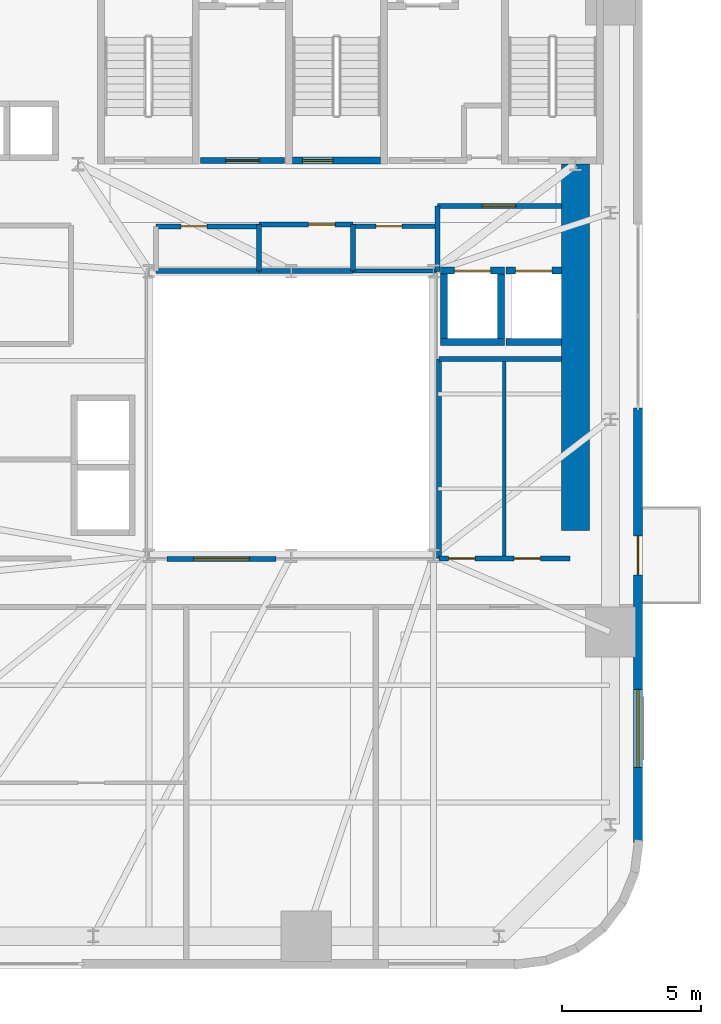
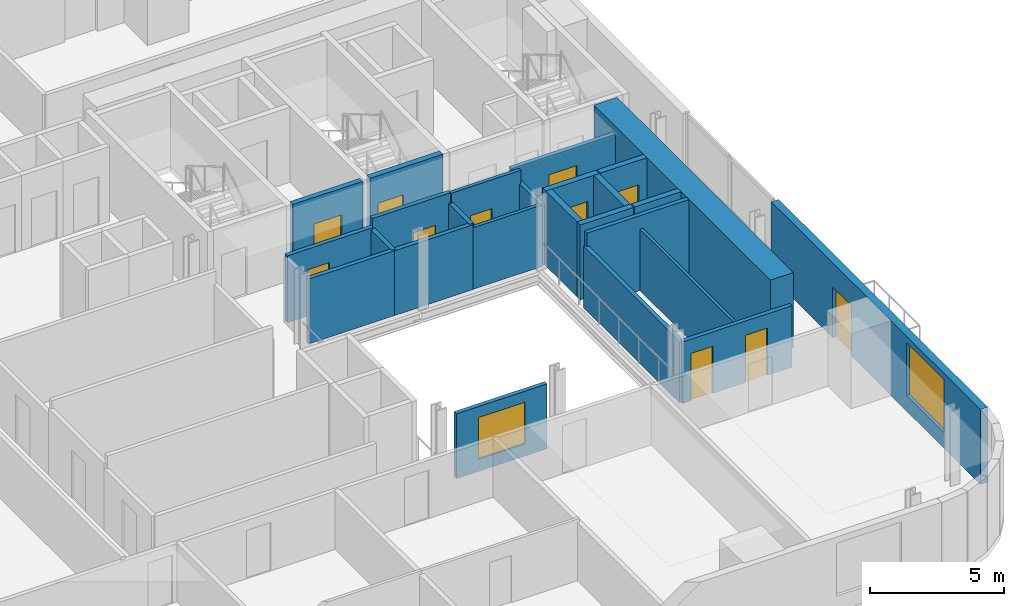
# One storey, part 7 of 11: 25 walls, 11 doors, 2 windows, 13 openings.
"""IFC4 building model written with IfcOpenShell, lengths in metres."""

from ifc_helpers import new_model, si_unit, direction, frame, frame_2d, origin, place, context, subcontext, project, spatial, rectangle, extrude, source, transform, mapped, material, layer, layer_set, type_object, element, fill, save


model = new_model("IFC4")

# Units and contexts
model_context = context("Model", 3, precision=1e-05, world=origin(), true_north=direction((0.0, 1.0)))
body_context = subcontext(model_context, "Body", "Model", "MODEL_VIEW")
ifc_project = project(units=[si_unit("LENGTHUNIT", "METRE"), si_unit("AREAUNIT", "SQUARE_METRE"), si_unit("VOLUMEUNIT", "CUBIC_METRE"), si_unit("PLANEANGLEUNIT", "RADIAN"), si_unit("MASSUNIT", "GRAM", prefix="KILO")], contexts=[model_context])

# Site, building, storey
site_placement = place(None, origin())
site = spatial("IfcSite", under=ifc_project, at=site_placement, CompositionType="ELEMENT")
building_placement = place(site_placement, origin())
building = spatial("IfcBuilding", under=site, at=building_placement, Name="Vardaveli Station Tower", CompositionType="ELEMENT")
storey_placement = place(building_placement, frame((0.0, 0.0, 78.699951171875)))
storey = spatial("IfcBuildingStorey", under=building, at=storey_placement, Name="L20", CompositionType="ELEMENT", Elevation=78.699951171875)

# Wall
ifc_material_1 = material(Name="Concrete C60/75", Category="concrete")
ifc_layer_1 = layer(ifc_material_1, 1.0, Name="Concrete C60/75")
ifc_layer_set_1 = layer_set([ifc_layer_1], Name="Concrete C60/75")
wall_type_1 = type_object("IfcWallType", Name="WAL-CORE-1000", PredefinedType="SHEAR", material=ifc_layer_set_1)
shared_shape_1 = source(origin(), body_context, "Body", "SweptSolid", [
    extrude(rectangle(XDim=13.14990234375, YDim=1.0, at=frame_2d((6.574951171875, 0.0))), origin(), (0.0, 0.0, 1.0), 3.41015625),
])
wall_1_placement = place(storey_placement, frame((46.5, 17.5, 0.0), z_axis=(0.0, 0.0, 1.0), x_axis=(0.0, 1.0, 0.0)))
element("IfcWall", 1, at=wall_1_placement, inside=storey, type_object=wall_type_1, Name="SW-L20-EAST2", PredefinedType="SHEAR", context=body_context, shape_type="MappedRepresentation", body=[
    mapped(shared_shape_1, transform((0.0, 0.0, 0.0), scale=1.0)),
])

# Wall, openings, door, window
ifc_material_2 = material(Name="Precast concrete C45/55", Category="concrete")
ifc_layer_2 = layer(ifc_material_2, 0.320068359375, Name="Precast concrete C45/55")
ifc_layer_set_2 = layer_set([ifc_layer_2], Name="Precast concrete C45/55")
wall_type_2 = type_object("IfcWallType", Name="WAL-EXT-STONE-320", PredefinedType="SOLIDWALL", material=ifc_layer_set_2)
shared_shape_2 = source(origin(), body_context, "Body", "SweptSolid", [
    extrude(rectangle(XDim=15.599853515625, YDim=0.320068359375, at=frame_2d((7.7998046875, 0.0))), origin(), (0.0, 0.0, 1.0), 3.41015625),
])
wall_2_placement = place(storey_placement, frame((48.739990234375, 6.300048828125, 0.0), z_axis=(0.0, 0.0, 1.0), x_axis=(0.0, 1.0, 0.0)))
wall_2 = element("IfcWall", 2, at=wall_2_placement, inside=storey, type_object=wall_type_2, Name="EW-L20-E1", PredefinedType="SOLIDWALL", context=body_context, shape_type="MappedRepresentation", body=[
    mapped(shared_shape_2, transform((0.0, 0.0, 0.0), scale=1.0)),
])
shared_shape_3 = source(origin(), body_context, "Body", "SweptSolid", [
    extrude(rectangle(XDim=1.39990234375, YDim=2.300048828125, at=frame_2d((0.699951171875, 1.14990234375))), frame((0.0, 0.169921875, 0.0), z_axis=(0.0, -1.0, 0.0), x_axis=(1.0, 0.0, 0.0)), (0.0, 0.0, 1.0), 0.340087890625),
])
opening_1_placement = place(wall_2_placement, frame((9.6103515625, 0.0, 0.0)))
opening_1 = element("IfcOpeningElement", 3, at=opening_1_placement, cuts=wall_2, Name="Opening D-09", PredefinedType="OPENING", context=body_context, shape_type="MappedRepresentation", body=[
    mapped(shared_shape_3, transform((0.0, 0.0, 0.0), scale=1.0)),
])
shared_shape_4 = source(origin(), body_context, "Body", "SweptSolid", [
    extrude(rectangle(XDim=2.800048828125, YDim=2.39990234375, at=frame_2d((1.39990234375, 1.199951171875))), frame((0.0, 0.169921875, 0.0), z_axis=(0.0, -1.0, 0.0), x_axis=(1.0, 0.0, 0.0)), (0.0, 0.0, 1.0), 0.340087890625),
])
opening_2_placement = place(wall_2_placement, frame((2.705078125, 0.0, 0.719970703125)))
opening_2 = element("IfcOpeningElement", 4, at=opening_2_placement, cuts=wall_2, Name="Opening W-04", PredefinedType="OPENING", context=body_context, shape_type="MappedRepresentation", body=[
    mapped(shared_shape_4, transform((0.0, 0.0, 0.0), scale=1.0)),
])
ifc_material_3 = material(Name="Thermally broken aluminium glass", Category="aluminium")
door_type_1 = type_object("IfcDoorType", Name="DR-LOG-1400x2300", OperationType="DOUBLE_DOOR_SLIDING", PredefinedType="DOOR", material=ifc_material_3)
shared_shape_5 = source(origin(), body_context, "Body", "SweptSolid", [
    extrude(rectangle(XDim=1.39990234375, YDim=2.300048828125, at=frame_2d((0.699951171875, 1.14990234375))), frame((0.0, 0.02490234375, 0.0), z_axis=(0.0, -1.0, 0.0), x_axis=(1.0, 0.0, 0.0)), (0.0, 0.0, 1.0), 0.050048828125),
])
door_1_placement = place(opening_1_placement, frame((1.39990234375, 0.0, 0.0), z_axis=(0.0, 0.0, 1.0), x_axis=(-1.0, 0.0, 0.0)))
door_1 = element("IfcDoor", 5, at=door_1_placement, inside=storey, type_object=door_type_1, Name="DLG-L20-E", OperationType="DOUBLE_DOOR_SLIDING", OverallHeight=2.300048828125, OverallWidth=1.39990234375, PredefinedType="DOOR", context=body_context, shape_type="MappedRepresentation", body=[
    mapped(shared_shape_5, transform((0.0, 0.0, 0.0), scale=1.0)),
])
fill(opening_1, door_1)
ifc_material_4 = material(Name="Low-E solar-control glass", Category="glass")
window_type_1 = type_object("IfcWindowType", Name="WIN-SUITE-2800x2400", PartitioningType="SINGLE_PANEL", PredefinedType="WINDOW", material=ifc_material_4)
shared_shape_6 = source(origin(), body_context, "Body", "SweptSolid", [
    extrude(rectangle(XDim=2.800048828125, YDim=2.39990234375, at=frame_2d((1.39990234375, 1.199951171875))), frame((0.0, 0.030029296875, 0.0), z_axis=(0.0, -1.0, 0.0), x_axis=(1.0, 0.0, 0.0)), (0.0, 0.0, 1.0), 0.06005859375),
])
window_1_placement = place(opening_2_placement, origin())
window_1 = element("IfcWindow", 6, at=window_1_placement, inside=storey, type_object=window_type_1, Name="WN-L20-E1", OverallHeight=2.39990234375, OverallWidth=2.800048828125, PartitioningType="SINGLE_PANEL", PredefinedType="WINDOW", context=body_context, shape_type="MappedRepresentation", body=[
    mapped(shared_shape_6, transform((0.0, 0.0, 0.0), scale=1.0)),
])
fill(opening_2, window_1)

# Wall, opening, door
ifc_material_5 = material(Name="Concrete C40/50", Category="concrete")
ifc_layer_3 = layer(ifc_material_5, 0.25, Name="Concrete C40/50")
ifc_layer_set_3 = layer_set([ifc_layer_3], Name="Concrete C40/50")
wall_type_3 = type_object("IfcWallType", Name="WAL-SHAFT-250", PredefinedType="SOLIDWALL", material=ifc_layer_set_3)
shared_shape_7 = source(origin(), body_context, "Body", "SweptSolid", [
    extrude(rectangle(XDim=3.14990234375, YDim=0.25, at=frame_2d((1.574951171875, 0.0))), origin(), (0.0, 0.0, 1.0), 3.449951171875),
])
wall_3_placement = place(storey_placement, frame((36.35009765625, 30.77490234375, 0.0), z_axis=(0.0, 0.0, 1.0), x_axis=(1.0, 0.0, 0.0)))
wall_3 = element("IfcWall", 7, at=wall_3_placement, inside=storey, type_object=wall_type_3, Name="W-L20-ST-2S", PredefinedType="SOLIDWALL", context=body_context, shape_type="MappedRepresentation", body=[
    mapped(shared_shape_7, transform((0.0, 0.0, 0.0), scale=1.0)),
])
shared_shape_8 = source(origin(), body_context, "Body", "SweptSolid", [
    extrude(rectangle(XDim=1.10009765625, YDim=2.199951171875, at=frame_2d((0.550048828125, 1.10009765625))), frame((0.0, 0.135009765625, 0.0), z_axis=(0.0, -1.0, 0.0), x_axis=(1.0, 0.0, 0.0)), (0.0, 0.0, 1.0), 0.27001953125),
])
opening_3_placement = place(wall_3_placement, frame((0.35009765625, 0.0, 0.0)))
opening_3 = element("IfcOpeningElement", 8, at=opening_3_placement, cuts=wall_3, Name="Opening D-04", PredefinedType="OPENING", context=body_context, shape_type="MappedRepresentation", body=[
    mapped(shared_shape_8, transform((0.0, 0.0, 0.0), scale=1.0)),
])
ifc_material_6 = material(Name="Steel smokeproof fire doorset", Category="steel")
door_type_2 = type_object("IfcDoorType", Name="DR-ST-1100x2200", OperationType="NOTDEFINED", PredefinedType="DOOR", material=ifc_material_6)
shared_shape_9 = source(origin(), body_context, "Body", "SweptSolid", [
    extrude(rectangle(XDim=1.10009765625, YDim=2.199951171875, at=frame_2d((0.550048828125, 1.10009765625))), frame((0.0, 0.02490234375, 0.0), z_axis=(0.0, -1.0, 0.0), x_axis=(1.0, 0.0, 0.0)), (0.0, 0.0, 1.0), 0.050048828125),
])
door_2_placement = place(opening_3_placement, origin())
door_2 = element("IfcDoor", 9, at=door_2_placement, inside=storey, type_object=door_type_2, Name="DST-2-L20", OperationType="SINGLE_SWING_LEFT", OverallHeight=2.199951171875, OverallWidth=1.10009765625, PredefinedType="DOOR", context=body_context, shape_type="MappedRepresentation", body=[
    mapped(shared_shape_9, transform((0.0, 0.0, 0.0), scale=1.0)),
])
fill(opening_3, door_2)

ifc_layer_4 = layer(ifc_material_5, 0.219970703125, Name="Concrete C40/50")
ifc_layer_set_4 = layer_set([ifc_layer_4], Name="Concrete C40/50")
wall_type_4 = type_object("IfcWallType", Name="WAL-FFLOBBY-220", PredefinedType="SOLIDWALL", material=ifc_layer_set_4)
shared_shape_10 = source(origin(), body_context, "Body", "SweptSolid", [
    extrude(rectangle(XDim=3.0, YDim=0.219970703125, at=frame_2d((1.5, 0.0))), origin(), (0.0, 0.0, 1.0), 3.41015625),
])
wall_4_placement = place(storey_placement, frame((33.050048828125, 30.780029296875, 0.0), z_axis=(0.0, 0.0, 1.0), x_axis=(1.0, 0.0, 0.0)))
wall_4 = element("IfcWall", 10, at=wall_4_placement, inside=storey, type_object=wall_type_4, Name="W-L20-FFL1S", PredefinedType="SOLIDWALL", context=body_context, shape_type="MappedRepresentation", body=[
    mapped(shared_shape_10, transform((0.0, 0.0, 0.0), scale=1.0)),
])
shared_shape_11 = source(origin(), body_context, "Body", "SweptSolid", [
    extrude(rectangle(XDim=1.199951171875, YDim=2.199951171875, at=frame_2d((0.60009765625, 1.10009765625))), frame((0.0, 0.1201171875, 0.0), z_axis=(0.0, -1.0, 0.0), x_axis=(1.0, 0.0, 0.0)), (0.0, 0.0, 1.0), 0.239990234375),
])
opening_4_placement = place(wall_4_placement, frame((0.89990234375, 0.0, 0.0)))
opening_4 = element("IfcOpeningElement", 11, at=opening_4_placement, cuts=wall_4, Name="Opening D-03", PredefinedType="OPENING", context=body_context, shape_type="MappedRepresentation", body=[
    mapped(shared_shape_11, transform((0.0, 0.0, 0.0), scale=1.0)),
])
door_type_3 = type_object("IfcDoorType", Name="DR-FFL-1200x2200", OperationType="NOTDEFINED", PredefinedType="DOOR", material=ifc_material_6)
shared_shape_12 = source(origin(), body_context, "Body", "SweptSolid", [
    extrude(rectangle(XDim=1.199951171875, YDim=2.199951171875, at=frame_2d((0.60009765625, 1.10009765625))), frame((0.0, 0.02490234375, 0.0), z_axis=(0.0, -1.0, 0.0), x_axis=(1.0, 0.0, 0.0)), (0.0, 0.0, 1.0), 0.050048828125),
])
door_3_placement = place(opening_4_placement, origin())
door_3 = element("IfcDoor", 12, at=door_3_placement, inside=storey, type_object=door_type_3, Name="DFFL1-L20", OperationType="SINGLE_SWING_LEFT", OverallHeight=2.199951171875, OverallWidth=1.199951171875, PredefinedType="DOOR", context=body_context, shape_type="MappedRepresentation", body=[
    mapped(shared_shape_12, transform((0.0, 0.0, 0.0), scale=1.0)),
])
fill(opening_4, door_3)

# Wall
shared_shape_13 = source(origin(), body_context, "Body", "SweptSolid", [
    extrude(rectangle(XDim=2.300048828125, YDim=0.25, at=frame_2d((1.14990234375, 0.0))), origin(), (0.0, 0.0, 1.0), 3.41015625),
])
wall_5_placement = place(storey_placement, frame((41.64990234375, 24.27490234375, 0.0), z_axis=(0.0, 0.0, 1.0), x_axis=(1.0, 0.0, 0.0)))
element("IfcWall", 13, at=wall_5_placement, inside=storey, type_object=wall_type_3, Name="SHW-SRV-01-L20-S", PredefinedType="SOLIDWALL", context=body_context, shape_type="MappedRepresentation", body=[
    mapped(shared_shape_13, transform((0.0, 0.0, 0.0), scale=1.0)),
])

# Wall, opening, door
wall_6_placement = place(storey_placement, frame((41.64990234375, 26.824951171875, 0.0), z_axis=(0.0, 0.0, 1.0), x_axis=(1.0, 0.0, 0.0)))
wall_6 = element("IfcWall", 14, at=wall_6_placement, inside=storey, type_object=wall_type_3, Name="SHW-SRV-01-L20-N", PredefinedType="SOLIDWALL", context=body_context, shape_type="MappedRepresentation", body=[
    mapped(shared_shape_13, transform((0.0, 0.0, 0.0), scale=1.0)),
])
shared_shape_14 = source(origin(), body_context, "Body", "SweptSolid", [
    extrude(rectangle(XDim=1.300048828125, YDim=2.300048828125, at=frame_2d((0.64990234375, 1.14990234375))), frame((0.0, 0.135009765625, 0.0), z_axis=(0.0, -1.0, 0.0), x_axis=(1.0, 0.0, 0.0)), (0.0, 0.0, 1.0), 0.27001953125),
])
opening_5_placement = place(wall_6_placement, frame((0.5, 0.0, 0.0)))
opening_5 = element("IfcOpeningElement", 15, at=opening_5_placement, cuts=wall_6, Name="Opening LD-03", PredefinedType="OPENING", context=body_context, shape_type="MappedRepresentation", body=[
    mapped(shared_shape_14, transform((0.0, 0.0, 0.0), scale=1.0)),
])
ifc_material_7 = material(Name="Brushed stainless steel", Category="steel")
door_type_4 = type_object("IfcDoorType", Name="DR-LD-1300x2300", OperationType="DOUBLE_DOOR_SLIDING", PredefinedType="DOOR", material=ifc_material_7)
shared_shape_15 = source(origin(), body_context, "Body", "SweptSolid", [
    extrude(rectangle(XDim=1.300048828125, YDim=2.300048828125, at=frame_2d((0.64990234375, 1.14990234375))), frame((0.0, 0.02490234375, 0.0), z_axis=(0.0, -1.0, 0.0), x_axis=(1.0, 0.0, 0.0)), (0.0, 0.0, 1.0), 0.050048828125),
])
door_4_placement = place(opening_5_placement, origin())
door_4 = element("IfcDoor", 16, at=door_4_placement, inside=storey, type_object=door_type_4, Name="LD-SRV-01-L20", OperationType="DOUBLE_DOOR_SLIDING", OverallHeight=2.300048828125, OverallWidth=1.300048828125, PredefinedType="DOOR", context=body_context, shape_type="MappedRepresentation", body=[
    mapped(shared_shape_15, transform((0.0, 0.0, 0.0), scale=1.0)),
])
fill(opening_5, door_4)

# Walls
for number, where, z_axis, x_axis, name in (
    (17, (41.77490234375, 24.39990234375, 0.0), (0.0, 0.0, 1.0), (0.0, 1.0, 0.0), "SHW-SRV-01-L20-W"),
    (18, (43.824951171875, 24.39990234375, 0.0), (0.0, 0.0, 1.0), (0.0, 1.0, 0.0), "SHW-SRV-01-L20-E"),
):
    element("IfcWall", number, at=place(storey_placement, frame(where, z_axis=z_axis, x_axis=x_axis)), inside=storey, type_object=wall_type_3, Name=name, PredefinedType="SOLIDWALL", context=body_context, shape_type="MappedRepresentation", body=[
        mapped(shared_shape_13, transform((0.0, 0.0, 0.0), scale=1.0)),
    ])
shared_shape_16 = source(origin(), body_context, "Body", "SweptSolid", [
    extrude(rectangle(XDim=2.0, YDim=0.25, at=frame_2d((1.0, 0.0))), origin(), (0.0, 0.0, 1.0), 3.41015625),
])
wall_7_placement = place(storey_placement, frame((44.0, 24.27490234375, 0.0), z_axis=(0.0, 0.0, 1.0), x_axis=(1.0, 0.0, 0.0)))
element("IfcWall", 19, at=wall_7_placement, inside=storey, type_object=wall_type_3, Name="SHW-SRV-02-L20-S", PredefinedType="SOLIDWALL", context=body_context, shape_type="MappedRepresentation", body=[
    mapped(shared_shape_16, transform((0.0, 0.0, 0.0), scale=1.0)),
])

# Wall, opening, door
wall_8_placement = place(storey_placement, frame((44.0, 26.824951171875, 0.0), z_axis=(0.0, 0.0, 1.0), x_axis=(1.0, 0.0, 0.0)))
wall_8 = element("IfcWall", 20, at=wall_8_placement, inside=storey, type_object=wall_type_3, Name="SHW-SRV-02-L20-N", PredefinedType="SOLIDWALL", context=body_context, shape_type="MappedRepresentation", body=[
    mapped(shared_shape_16, transform((0.0, 0.0, 0.0), scale=1.0)),
])
opening_6_placement = place(wall_8_placement, frame((0.35009765625, 0.0, 0.0)))
opening_6 = element("IfcOpeningElement", 21, at=opening_6_placement, cuts=wall_8, Name="Opening LD-03", PredefinedType="OPENING", context=body_context, shape_type="MappedRepresentation", body=[
    mapped(shared_shape_14, transform((0.0, 0.0, 0.0), scale=1.0)),
])
door_5_placement = place(opening_6_placement, origin())
door_5 = element("IfcDoor", 22, at=door_5_placement, inside=storey, type_object=door_type_4, Name="LD-SRV-02-L20", OperationType="DOUBLE_DOOR_SLIDING", OverallHeight=2.300048828125, OverallWidth=1.300048828125, PredefinedType="DOOR", context=body_context, shape_type="MappedRepresentation", body=[
    mapped(shared_shape_15, transform((0.0, 0.0, 0.0), scale=1.0)),
])
fill(opening_6, door_5)

ifc_material_8 = material(Name="Fire-rated gypsum stud partition")
ifc_layer_5 = layer(ifc_material_8, 0.179931640625, Name="Fire-rated gypsum stud partition")
ifc_layer_set_5 = layer_set([ifc_layer_5], Name="Fire-rated gypsum stud partition")
wall_type_5 = type_object("IfcWallType", Name="WAL-CORR-180", PredefinedType="PARTITIONING", material=ifc_layer_set_5)
shared_shape_17 = source(origin(), body_context, "Body", "SweptSolid", [
    extrude(rectangle(XDim=4.447998046875, YDim=0.179931640625, at=frame_2d((2.22412109375, 0.0))), origin(), (0.0, 0.0, 1.0), 3.0419921875),
])
wall_9_placement = place(storey_placement, frame((41.550048828125, 29.14990234375, 0.0), z_axis=(0.0, 0.0, 1.0), x_axis=(1.0, 0.0, 0.0)))
wall_9 = element("IfcWall", 23, at=wall_9_placement, inside=storey, type_object=wall_type_5, Name="W-L20-SVFN", PredefinedType="PARTITIONING", context=body_context, shape_type="MappedRepresentation", body=[
    mapped(shared_shape_17, transform((0.0, 0.0, 0.0), scale=1.0)),
])
shared_shape_18 = source(origin(), body_context, "Body", "SweptSolid", [
    extrude(rectangle(XDim=1.199951171875, YDim=2.199951171875, at=frame_2d((0.60009765625, 1.10009765625))), frame((0.0, 0.10009765625, 0.0), z_axis=(0.0, -1.0, 0.0), x_axis=(1.0, 0.0, 0.0)), (0.0, 0.0, 1.0), 0.199951171875),
])
opening_7_placement = place(wall_9_placement, frame((1.60009765625, 0.0, 0.0)))
opening_7 = element("IfcOpeningElement", 24, at=opening_7_placement, cuts=wall_9, Name="Opening D-03", PredefinedType="OPENING", context=body_context, shape_type="MappedRepresentation", body=[
    mapped(shared_shape_18, transform((0.0, 0.0, 0.0), scale=1.0)),
])
door_6_placement = place(opening_7_placement, origin())
door_6 = element("IfcDoor", 25, at=door_6_placement, inside=storey, type_object=door_type_3, Name="D-L20-SVF", OperationType="SINGLE_SWING_RIGHT", OverallHeight=2.199951171875, OverallWidth=1.199951171875, PredefinedType="DOOR", context=body_context, shape_type="MappedRepresentation", body=[
    mapped(shared_shape_12, transform((0.0, 0.0, 0.0), scale=1.0)),
])
fill(opening_7, door_6)

# Wall, openings, doors
shared_shape_19 = source(origin(), body_context, "Body", "SweptSolid", [
    extrude(rectangle(XDim=4.699951171875, YDim=0.179931640625, at=frame_2d((2.35009765625, 0.0))), origin(), (0.0, 0.0, 1.0), 2.802001953125),
])
wall_10_placement = place(storey_placement, frame((41.60009765625, 16.5, 0.0), z_axis=(0.0, 0.0, 1.0), x_axis=(1.0, 0.0, 0.0)))
wall_10 = element("IfcWall", 26, at=wall_10_placement, inside=storey, type_object=wall_type_5, Name="W-L20-ATE-S", PredefinedType="PARTITIONING", context=body_context, shape_type="MappedRepresentation", body=[
    mapped(shared_shape_19, transform((0.0, 0.0, 0.0), scale=1.0)),
])
shared_shape_20 = source(origin(), body_context, "Body", "SweptSolid", [
    extrude(rectangle(XDim=0.949951171875, YDim=2.14990234375, at=frame_2d((0.47509765625, 1.074951171875))), frame((0.0, 0.10009765625, 0.0), z_axis=(0.0, -1.0, 0.0), x_axis=(1.0, 0.0, 0.0)), (0.0, 0.0, 1.0), 0.199951171875),
])
opening_8_placement = place(wall_10_placement, frame((0.35009765625, 0.0, 0.0)))
opening_8 = element("IfcOpeningElement", 27, at=opening_8_placement, cuts=wall_10, Name="Opening D-11", PredefinedType="OPENING", context=body_context, shape_type="MappedRepresentation", body=[
    mapped(shared_shape_20, transform((0.0, 0.0, 0.0), scale=1.0)),
])
opening_9_placement = place(wall_10_placement, frame((2.699951171875, 0.0, 0.0)))
opening_9 = element("IfcOpeningElement", 28, at=opening_9_placement, cuts=wall_10, Name="Opening D-11", PredefinedType="OPENING", context=body_context, shape_type="MappedRepresentation", body=[
    mapped(shared_shape_20, transform((0.0, 0.0, 0.0), scale=1.0)),
])
ifc_material_9 = material(Name="Oak veneer internal suite door")
door_type_5 = type_object("IfcDoorType", Name="DR-INT-950x2150", OperationType="NOTDEFINED", PredefinedType="DOOR", material=ifc_material_9)
shared_shape_21 = source(origin(), body_context, "Body", "SweptSolid", [
    extrude(rectangle(XDim=0.949951171875, YDim=2.14990234375, at=frame_2d((0.47509765625, 1.074951171875))), frame((0.0, 0.02490234375, 0.0), z_axis=(0.0, -1.0, 0.0), x_axis=(1.0, 0.0, 0.0)), (0.0, 0.0, 1.0), 0.050048828125),
])
door_7_placement = place(opening_8_placement, origin())
door_7 = element("IfcDoor", 29, at=door_7_placement, inside=storey, type_object=door_type_5, Name="D-L20-ATE1", OperationType="SINGLE_SWING_RIGHT", OverallHeight=2.14990234375, OverallWidth=0.949951171875, PredefinedType="DOOR", context=body_context, shape_type="MappedRepresentation", body=[
    mapped(shared_shape_21, transform((0.0, 0.0, 0.0), scale=1.0)),
])
fill(opening_8, door_7)
door_8_placement = place(opening_9_placement, origin())
door_8 = element("IfcDoor", 30, at=door_8_placement, inside=storey, type_object=door_type_5, Name="D-L20-ATE2", OperationType="SINGLE_SWING_RIGHT", OverallHeight=2.14990234375, OverallWidth=0.949951171875, PredefinedType="DOOR", context=body_context, shape_type="MappedRepresentation", body=[
    mapped(shared_shape_21, transform((0.0, 0.0, 0.0), scale=1.0)),
])
fill(opening_9, door_8)

# Walls
shared_shape_22 = source(origin(), body_context, "Body", "SweptSolid", [
    extrude(rectangle(XDim=7.14990234375, YDim=0.179931640625, at=frame_2d((3.574951171875, 0.0))), origin(), (0.0, 0.0, 1.0), 2.802001953125),
])
wall_11_placement = place(storey_placement, frame((41.60009765625, 16.5, 0.0), z_axis=(0.0, 0.0, 1.0), x_axis=(0.0, 1.0, 0.0)))
element("IfcWall", 31, at=wall_11_placement, inside=storey, type_object=wall_type_5, Name="W-L20-ATE-W", PredefinedType="PARTITIONING", context=body_context, shape_type="MappedRepresentation", body=[
    mapped(shared_shape_22, transform((0.0, 0.0, 0.0), scale=1.0)),
])
shared_shape_23 = source(origin(), body_context, "Body", "SweptSolid", [
    extrude(rectangle(XDim=2.349853515625, YDim=0.179931640625, at=frame_2d((1.1748046875, 0.0))), origin(), (0.0, 0.0, 1.0), 2.802001953125),
])
wall_12_placement = place(storey_placement, frame((41.550048828125, 26.800048828125, 0.0), z_axis=(0.0, 0.0, 1.0), x_axis=(0.0, 1.0, 0.0)))
element("IfcWall", 32, at=wall_12_placement, inside=storey, type_object=wall_type_5, Name="W-L20-SVFW", PredefinedType="PARTITIONING", context=body_context, shape_type="MappedRepresentation", body=[
    mapped(shared_shape_23, transform((0.0, 0.0, 0.0), scale=1.0)),
])
ifc_material_10 = material(Name="Gypsum board stud partition")
ifc_layer_6 = layer(ifc_material_10, 0.125, Name="Gypsum board stud partition")
ifc_layer_set_6 = layer_set([ifc_layer_6], Name="Gypsum board stud partition")
wall_type_6 = type_object("IfcWallType", Name="WAL-INT-125", PredefinedType="PARTITIONING", material=ifc_layer_set_6)
shared_shape_24 = source(origin(), body_context, "Body", "SweptSolid", [
    extrude(rectangle(XDim=7.14990234375, YDim=0.125, at=frame_2d((3.574951171875, 0.0))), origin(), (0.0, 0.0, 1.0), 2.802001953125),
])
wall_13_placement = place(storey_placement, frame((43.949951171875, 16.5, 0.0), z_axis=(0.0, 0.0, 1.0), x_axis=(0.0, 1.0, 0.0)))
element("IfcWall", 33, at=wall_13_placement, inside=storey, type_object=wall_type_6, Name="W-L20-ATEM", PredefinedType="PARTITIONING", context=body_context, shape_type="MappedRepresentation", body=[
    mapped(shared_shape_24, transform((0.0, 0.0, 0.0), scale=1.0)),
])

# Wall, opening, door
shared_shape_25 = source(origin(), body_context, "Body", "SweptSolid", [
    extrude(rectangle(XDim=3.699951171875, YDim=0.179931640625, at=frame_2d((1.85009765625, 0.0))), origin(), (0.0, 0.0, 1.0), 3.0419921875),
])
wall_14_placement = place(storey_placement, frame((31.449951171875, 28.419921875, 0.0), z_axis=(0.0, 0.0, 1.0), x_axis=(1.0, 0.0, 0.0)))
wall_14 = element("IfcWall", 34, at=wall_14_placement, inside=storey, type_object=wall_type_5, Name="W-L20-CS2A-N", PredefinedType="PARTITIONING", context=body_context, shape_type="MappedRepresentation", body=[
    mapped(shared_shape_25, transform((0.0, 0.0, 0.0), scale=1.0)),
])
shared_shape_26 = source(origin(), body_context, "Body", "SweptSolid", [
    extrude(rectangle(XDim=0.919921875, YDim=2.10009765625, at=frame_2d((0.4599609375, 1.050048828125))), frame((0.0, 0.10009765625, 0.0), z_axis=(0.0, -1.0, 0.0), x_axis=(1.0, 0.0, 0.0)), (0.0, 0.0, 1.0), 0.199951171875),
])
opening_10_placement = place(wall_14_placement, frame((0.89990234375, 0.0, 0.0)))
opening_10 = element("IfcOpeningElement", 35, at=opening_10_placement, cuts=wall_14, Name="Opening D-07", PredefinedType="OPENING", context=body_context, shape_type="MappedRepresentation", body=[
    mapped(shared_shape_26, transform((0.0, 0.0, 0.0), scale=1.0)),
])
ifc_material_11 = material(Name="Moisture-resistant hardwood door", Category="wood")
door_type_6 = type_object("IfcDoorType", Name="DR-WC-920x2100", OperationType="NOTDEFINED", PredefinedType="DOOR", material=ifc_material_11)
shared_shape_27 = source(origin(), body_context, "Body", "SweptSolid", [
    extrude(rectangle(XDim=0.919921875, YDim=2.10009765625, at=frame_2d((0.4599609375, 1.050048828125))), frame((0.0, 0.02490234375, 0.0), z_axis=(0.0, -1.0, 0.0), x_axis=(1.0, 0.0, 0.0)), (0.0, 0.0, 1.0), 0.050048828125),
])
door_9_placement = place(opening_10_placement, origin())
door_9 = element("IfcDoor", 36, at=door_9_placement, inside=storey, type_object=door_type_6, Name="D-L20-CS2A", OperationType="SINGLE_SWING_LEFT", OverallHeight=2.10009765625, OverallWidth=0.919921875, PredefinedType="DOOR", context=body_context, shape_type="MappedRepresentation", body=[
    mapped(shared_shape_27, transform((0.0, 0.0, 0.0), scale=1.0)),
])
fill(opening_10, door_9)

shared_shape_28 = source(origin(), body_context, "Body", "SweptSolid", [
    extrude(rectangle(XDim=3.3701171875, YDim=0.179931640625, at=frame_2d((1.68505859375, 0.0))), origin(), (0.0, 0.0, 1.0), 3.41015625),
])
wall_15_placement = place(storey_placement, frame((35.14990234375, 28.47998046875, 0.0), z_axis=(0.0, 0.0, 1.0), x_axis=(1.0, 0.0, 0.0)))
wall_15 = element("IfcWall", 37, at=wall_15_placement, inside=storey, type_object=wall_type_5, Name="W-L20-HKP2-N", PredefinedType="PARTITIONING", context=body_context, shape_type="MappedRepresentation", body=[
    mapped(shared_shape_28, transform((0.0, 0.0, 0.0), scale=1.0)),
])
opening_11_placement = place(wall_15_placement, frame((1.77490234375, 0.0, 0.0)))
opening_11 = element("IfcOpeningElement", 38, at=opening_11_placement, cuts=wall_15, Name="Opening D-06", PredefinedType="OPENING", context=body_context, shape_type="MappedRepresentation", body=[
    mapped(shared_shape_20, transform((0.0, 0.0, 0.0), scale=1.0)),
])
ifc_material_12 = material(Name="Oak veneer acoustic fire door")
door_type_7 = type_object("IfcDoorType", Name="DR-GUEST-950x2150", OperationType="NOTDEFINED", PredefinedType="DOOR", material=ifc_material_12)
door_10_placement = place(opening_11_placement, origin())
door_10 = element("IfcDoor", 39, at=door_10_placement, inside=storey, type_object=door_type_7, Name="D-L20-HKP", OperationType="SINGLE_SWING_LEFT", OverallHeight=2.14990234375, OverallWidth=0.949951171875, PredefinedType="DOOR", context=body_context, shape_type="MappedRepresentation", body=[
    mapped(shared_shape_21, transform((0.0, 0.0, 0.0), scale=1.0)),
])
fill(opening_11, door_10)

ifc_material_13 = material(Name="Moisture-resistant stud partition")
ifc_layer_7 = layer(ifc_material_13, 0.14990234375, Name="Moisture-resistant stud partition")
ifc_layer_set_7 = layer_set([ifc_layer_7], Name="Moisture-resistant stud partition")
wall_type_7 = type_object("IfcWallType", Name="WAL-WET-150", PredefinedType="PARTITIONING", material=ifc_layer_set_7)
shared_shape_29 = source(origin(), body_context, "Body", "SweptSolid", [
    extrude(rectangle(XDim=3.0, YDim=0.14990234375, at=frame_2d((1.5, 0.0))), origin(), (0.0, 0.0, 1.0), 3.41015625),
])
wall_16_placement = place(storey_placement, frame((38.52001953125, 28.419921875, 0.0), z_axis=(0.0, 0.0, 1.0), x_axis=(1.0, 0.0, 0.0)))
wall_16 = element("IfcWall", 40, at=wall_16_placement, inside=storey, type_object=wall_type_7, Name="W-L20-WCA2-N", PredefinedType="PARTITIONING", context=body_context, shape_type="MappedRepresentation", body=[
    mapped(shared_shape_29, transform((0.0, 0.0, 0.0), scale=1.0)),
])
shared_shape_30 = source(origin(), body_context, "Body", "SweptSolid", [
    extrude(rectangle(XDim=0.919921875, YDim=2.10009765625, at=frame_2d((0.4599609375, 1.050048828125))), frame((0.0, 0.0849609375, 0.0), z_axis=(0.0, -1.0, 0.0), x_axis=(1.0, 0.0, 0.0)), (0.0, 0.0, 1.0), 0.169921875),
])
opening_12_placement = place(wall_16_placement, frame((0.830078125, 0.0, 0.0)))
opening_12 = element("IfcOpeningElement", 41, at=opening_12_placement, cuts=wall_16, Name="Opening D-07", PredefinedType="OPENING", context=body_context, shape_type="MappedRepresentation", body=[
    mapped(shared_shape_30, transform((0.0, 0.0, 0.0), scale=1.0)),
])
door_11_placement = place(opening_12_placement, origin())
door_11 = element("IfcDoor", 42, at=door_11_placement, inside=storey, type_object=door_type_6, Name="D-L20-WCA", OperationType="SINGLE_SWING_LEFT", OverallHeight=2.10009765625, OverallWidth=0.919921875, PredefinedType="DOOR", context=body_context, shape_type="MappedRepresentation", body=[
    mapped(shared_shape_27, transform((0.0, 0.0, 0.0), scale=1.0)),
])
fill(opening_12, door_11)

# Walls
shared_shape_31 = source(origin(), body_context, "Body", "SweptSolid", [
    extrude(rectangle(XDim=4.39794921875, YDim=0.179931640625, at=frame_2d((2.198974609375, 0.0))), origin(), (0.0, 0.0, 1.0), 3.41015625),
])
wall_17_placement = place(storey_placement, frame((41.60009765625, 23.64990234375, 0.0), z_axis=(0.0, 0.0, 1.0), x_axis=(1.0, 0.0, 0.0)))
element("IfcWall", 43, at=wall_17_placement, inside=storey, type_object=wall_type_5, Name="W-L20-ATE-N", PredefinedType="PARTITIONING", context=body_context, shape_type="MappedRepresentation", body=[
    mapped(shared_shape_31, transform((0.0, 0.0, 0.0), scale=1.0)),
])
shared_shape_32 = source(origin(), body_context, "Body", "SweptSolid", [
    extrude(rectangle(XDim=3.699951171875, YDim=0.179931640625, at=frame_2d((1.85009765625, 0.0))), origin(), (0.0, 0.0, 1.0), 2.9521484375),
])
wall_18_placement = place(storey_placement, frame((31.449951171875, 26.820068359375, 0.0), z_axis=(0.0, 0.0, 1.0), x_axis=(1.0, 0.0, 0.0)))
element("IfcWall", 44, at=wall_18_placement, inside=storey, type_object=wall_type_5, Name="W-L20-CS2A-S", PredefinedType="PARTITIONING", context=body_context, shape_type="MappedRepresentation", body=[
    mapped(shared_shape_32, transform((0.0, 0.0, 0.0), scale=1.0)),
])
shared_shape_33 = source(origin(), body_context, "Body", "SweptSolid", [
    extrude(rectangle(XDim=3.3701171875, YDim=0.179931640625, at=frame_2d((1.68505859375, 0.0))), origin(), (0.0, 0.0, 1.0), 2.9521484375),
])
wall_19_placement = place(storey_placement, frame((35.14990234375, 26.820068359375, 0.0), z_axis=(0.0, 0.0, 1.0), x_axis=(1.0, 0.0, 0.0)))
element("IfcWall", 45, at=wall_19_placement, inside=storey, type_object=wall_type_5, Name="W-L20-HKP2-S", PredefinedType="PARTITIONING", context=body_context, shape_type="MappedRepresentation", body=[
    mapped(shared_shape_33, transform((0.0, 0.0, 0.0), scale=1.0)),
])
shared_shape_34 = source(origin(), body_context, "Body", "SweptSolid", [
    extrude(rectangle(XDim=3.0, YDim=0.14990234375, at=frame_2d((1.5, 0.0))), origin(), (0.0, 0.0, 1.0), 2.802001953125),
])
wall_20_placement = place(storey_placement, frame((38.52001953125, 26.820068359375, 0.0), z_axis=(0.0, 0.0, 1.0), x_axis=(1.0, 0.0, 0.0)))
element("IfcWall", 46, at=wall_20_placement, inside=storey, type_object=wall_type_7, Name="W-L20-WCA2-S", PredefinedType="PARTITIONING", context=body_context, shape_type="MappedRepresentation", body=[
    mapped(shared_shape_34, transform((0.0, 0.0, 0.0), scale=1.0)),
])
shared_shape_35 = source(origin(), body_context, "Body", "SweptSolid", [
    extrude(rectangle(XDim=1.659912109375, YDim=0.179931640625, at=frame_2d((0.830078125, 0.0))), origin(), (0.0, 0.0, 1.0), 2.9521484375),
])
for number, where, z_axis, x_axis, name in (
    (47, (35.14990234375, 26.820068359375, 0.0), (0.0, 0.0, 1.0), (0.0, 1.0, 0.0), "W-L20-HKP2-W"),
    (48, (38.52001953125, 26.820068359375, 0.0), (0.0, 0.0, 1.0), (0.0, 1.0, 0.0), "W-L20-HKP2-E"),
):
    element("IfcWall", number, at=place(storey_placement, frame(where, z_axis=z_axis, x_axis=x_axis)), inside=storey, type_object=wall_type_5, Name=name, PredefinedType="PARTITIONING", context=body_context, shape_type="MappedRepresentation", body=[
        mapped(shared_shape_35, transform((0.0, 0.0, 0.0), scale=1.0)),
    ])

# Wall, opening, window
shared_shape_36 = source(origin(), body_context, "Body", "SweptSolid", [
    extrude(rectangle(XDim=3.89990234375, YDim=0.179931640625, at=frame_2d((1.949951171875, 0.0))), origin(), (0.0, 0.0, 1.0), 2.9521484375),
])
wall_21_placement = place(storey_placement, frame((31.85009765625, 16.47998046875, 0.0), z_axis=(0.0, 0.0, 1.0), x_axis=(1.0, 0.0, 0.0)))
wall_21 = element("IfcWall", 49, at=wall_21_placement, inside=storey, type_object=wall_type_5, Name="WAT-L20-S", PredefinedType="PARTITIONING", context=body_context, shape_type="MappedRepresentation", body=[
    mapped(shared_shape_36, transform((0.0, 0.0, 0.0), scale=1.0)),
])
shared_shape_37 = source(origin(), body_context, "Body", "SweptSolid", [
    extrude(rectangle(XDim=2.0, YDim=1.89990234375, at=frame_2d((1.0, 0.949951171875))), frame((0.0, 0.10009765625, 0.0), z_axis=(0.0, -1.0, 0.0), x_axis=(1.0, 0.0, 0.0)), (0.0, 0.0, 1.0), 0.199951171875),
])
opening_13_placement = place(wall_21_placement, frame((0.949951171875, 0.0, 0.550048828125)))
opening_13 = element("IfcOpeningElement", 50, at=opening_13_placement, cuts=wall_21, Name="Opening W-07", PredefinedType="OPENING", context=body_context, shape_type="MappedRepresentation", body=[
    mapped(shared_shape_37, transform((0.0, 0.0, 0.0), scale=1.0)),
])
ifc_material_14 = material(Name="Tempered EI 60 fire-rated glass", Category="glass")
window_type_2 = type_object("IfcWindowType", Name="WIN-ATRIUM-2000x2400", PartitioningType="SINGLE_PANEL", PredefinedType="WINDOW", material=ifc_material_14)
shared_shape_38 = source(origin(), body_context, "Body", "SweptSolid", [
    extrude(rectangle(XDim=2.0, YDim=1.89990234375, at=frame_2d((1.0, 0.949951171875))), frame((0.0, 0.030029296875, 0.0), z_axis=(0.0, -1.0, 0.0), x_axis=(1.0, 0.0, 0.0)), (0.0, 0.0, 1.0), 0.06005859375),
])
window_2_placement = place(opening_13_placement, origin())
window_2 = element("IfcWindow", 51, at=window_2_placement, inside=storey, type_object=window_type_2, Name="WNAT-L20-1", OverallHeight=1.89990234375, OverallWidth=2.0, PartitioningType="SINGLE_PANEL", PredefinedType="WINDOW", context=body_context, shape_type="MappedRepresentation", body=[
    mapped(shared_shape_38, transform((0.0, 0.0, 0.0), scale=1.0)),
])
fill(opening_13, window_2)

save(model, "model.ifc")
